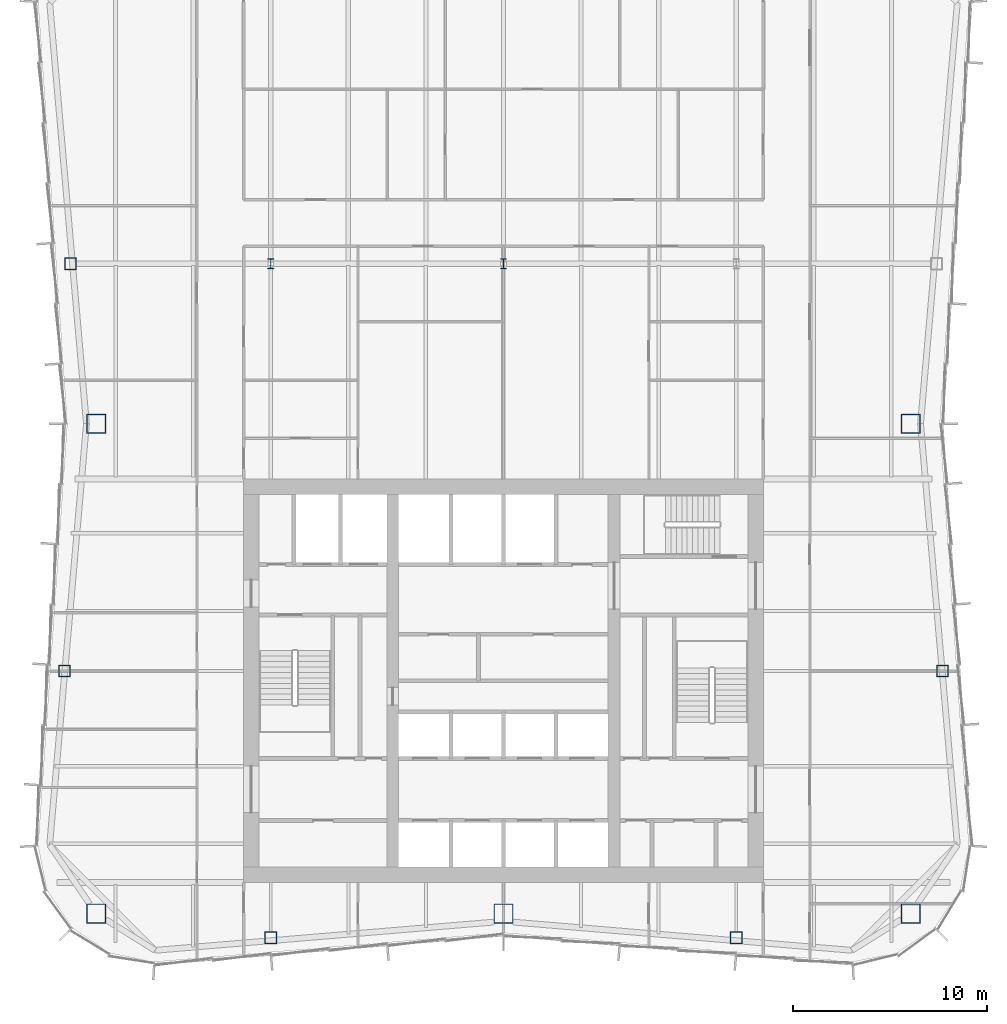
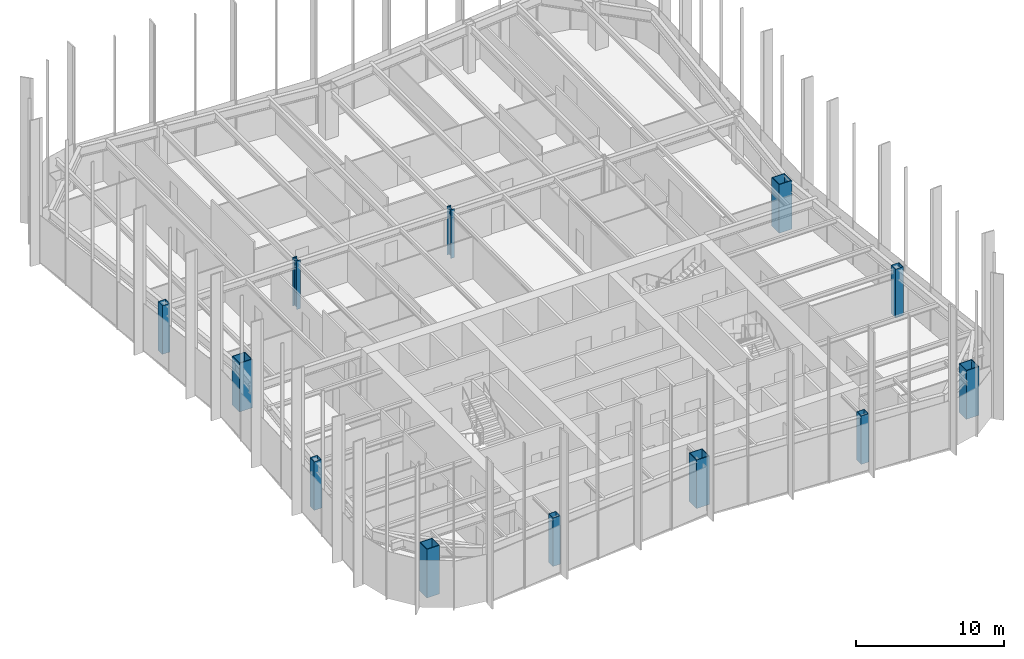
# One storey, part 1 of 15: 12 columns.
"""IFC4 building model written with IfcOpenShell, lengths in metres."""

from ifc_helpers import new_model, si_unit, direction, frame, origin, origin_2d, place, context, subcontext, project, spatial, hollow_rectangle, i_section, extrude, material, material_profile, profile_set, type_object, element, save


model = new_model("IFC4")

# Units and contexts
model_context = context("Model", 3, precision=1e-05, world=origin(), true_north=direction((0.0, 1.0)))
body_context = subcontext(model_context, "Body", "Model", "MODEL_VIEW")
ifc_project = project(units=[si_unit("LENGTHUNIT", "METRE"), si_unit("AREAUNIT", "SQUARE_METRE"), si_unit("VOLUMEUNIT", "CUBIC_METRE"), si_unit("PLANEANGLEUNIT", "RADIAN"), si_unit("MASSUNIT", "GRAM", prefix="KILO")], contexts=[model_context])

# Site, building, storey
site_placement = place(None, origin())
site = spatial("IfcSite", under=ifc_project, at=site_placement, CompositionType="ELEMENT")
building_placement = place(site_placement, origin())
building = spatial("IfcBuilding", under=site, at=building_placement, Name="Verdant Reach Tower", CompositionType="ELEMENT")
storey_placement = place(building_placement, frame((0.0, 0.0, 250.0)))
storey = spatial("IfcBuildingStorey", under=building, at=storey_placement, Name="L57", CompositionType="ELEMENT", Elevation=250.0)

# Columns
ifc_material = material(Name="Steel S460", Category="steel")
ifc_material_profile_1 = material_profile(ifc_material, i_section(OverallWidth=0.305908203125, OverallDepth=0.52392578125, WebThickness=0.012451171875, FlangeThickness=0.0400390625, FilletRadius=0.027099609375, at=origin_2d()), Name="HEM 500")
ifc_profile_set_1 = profile_set([ifc_material_profile_1], Name="Steel S460")
column_type_1 = type_object("IfcColumnType", Name="ST-COL-HEM500", PredefinedType="COLUMN", material=ifc_profile_set_1)
for number, where, z_axis, x_axis, name in (
    (1, (-12.0, 49.5, 0.0), (0.0, 0.0, 1.0), (1.0, 0.0, 0.0), "Interior column 1, L57"),
    (2, (0.0, 49.5, 0.0), (0.0, 0.0, 1.0), (1.0, 0.0, 0.0), "Interior column 2, L57"),
):
    element("IfcColumn", number, at=place(storey_placement, frame(where, z_axis=z_axis, x_axis=x_axis)), inside=storey, type_object=column_type_1, Name=name, PredefinedType="COLUMN", context=body_context, shape_type="SweptSolid", body=[
        extrude(i_section(OverallWidth=0.305908203125, OverallDepth=0.52392578125, WebThickness=0.012451171875, FlangeThickness=0.0400390625, FilletRadius=0.027099609375, at=origin_2d()), origin(), (0.0, 0.0, 1.0), 4.0),
    ])
ifc_material_profile_2 = material_profile(ifc_material, hollow_rectangle(XDim=1.0, YDim=1.0, WallThickness=0.044921875, at=origin_2d()), Name="WB 1000x1000x45")
ifc_profile_set_2 = profile_set([ifc_material_profile_2], Name="Steel S460")
column_type_2 = type_object("IfcColumnType", Name="ST-COL-WB1000x1000x45", PredefinedType="COLUMN", material=ifc_profile_set_2)
for number, where, z_axis, x_axis, name in (
    (3, (21.0, 41.25, 0.0), (0.0, 0.0, 1.0), (1.0, 0.0, 0.0), "Mega column east, L57"),
    (4, (21.0, 16.0, 0.0), (0.0, 0.0, 1.0), (1.0, 0.0, 0.0), "Mega column south-east, L57"),
    (5, (0.0, 16.0, 0.0), (0.0, 0.0, 1.0), (1.0, 0.0, 0.0), "Mega column south, L57"),
    (6, (-21.0, 16.0, 0.0), (0.0, 0.0, 1.0), (1.0, 0.0, 0.0), "Mega column south-west, L57"),
    (7, (-21.0, 41.25, 0.0), (0.0, 0.0, 1.0), (1.0, 0.0, 0.0), "Mega column west, L57"),
):
    element("IfcColumn", number, at=place(storey_placement, frame(where, z_axis=z_axis, x_axis=x_axis)), inside=storey, type_object=column_type_2, Name=name, PredefinedType="COLUMN", context=body_context, shape_type="SweptSolid", body=[
        extrude(hollow_rectangle(XDim=1.0, YDim=1.0, WallThickness=0.044921875, at=origin_2d()), origin(), (0.0, 0.0, 1.0), 4.0),
    ])
ifc_material_profile_3 = material_profile(ifc_material, hollow_rectangle(XDim=0.60009765625, YDim=0.60009765625, WallThickness=0.02490234375, at=origin_2d()), Name="WB 600x600x25")
ifc_profile_set_3 = profile_set([ifc_material_profile_3], Name="Steel S460")
column_type_3 = type_object("IfcColumnType", Name="ST-COL-WB600x600x25", PredefinedType="COLUMN", material=ifc_profile_set_3)
for number, where, z_axis, x_axis, name in (
    (8, (-12.0, 14.75, 0.0), (0.0, 0.0, 1.0), (1.0, 0.0, 0.0), "Perimeter column south 1, L57"),
    (9, (12.0, 14.75, 0.0), (0.0, 0.0, 1.0), (1.0, 0.0, 0.0), "Perimeter column south 2, L57"),
    (10, (22.62939453125, 28.5, 0.0), (0.0, 0.0, 1.0), (1.0, 0.0, 0.0), "Perimeter column east 1, L57"),
    (11, (-22.62939453125, 28.5, 0.0), (0.0, 0.0, 1.0), (1.0, 0.0, 0.0), "Perimeter column west 1, L57"),
    (12, (-22.319091796875, 49.5, 0.0), (0.0, 0.0, 1.0), (1.0, 0.0, 0.0), "Perimeter column west 2, L57"),
):
    element("IfcColumn", number, at=place(storey_placement, frame(where, z_axis=z_axis, x_axis=x_axis)), inside=storey, type_object=column_type_3, Name=name, PredefinedType="COLUMN", context=body_context, shape_type="SweptSolid", body=[
        extrude(hollow_rectangle(XDim=0.60009765625, YDim=0.60009765625, WallThickness=0.02490234375, at=origin_2d()), origin(), (0.0, 0.0, 1.0), 4.0),
    ])

save(model, "model.ifc")
